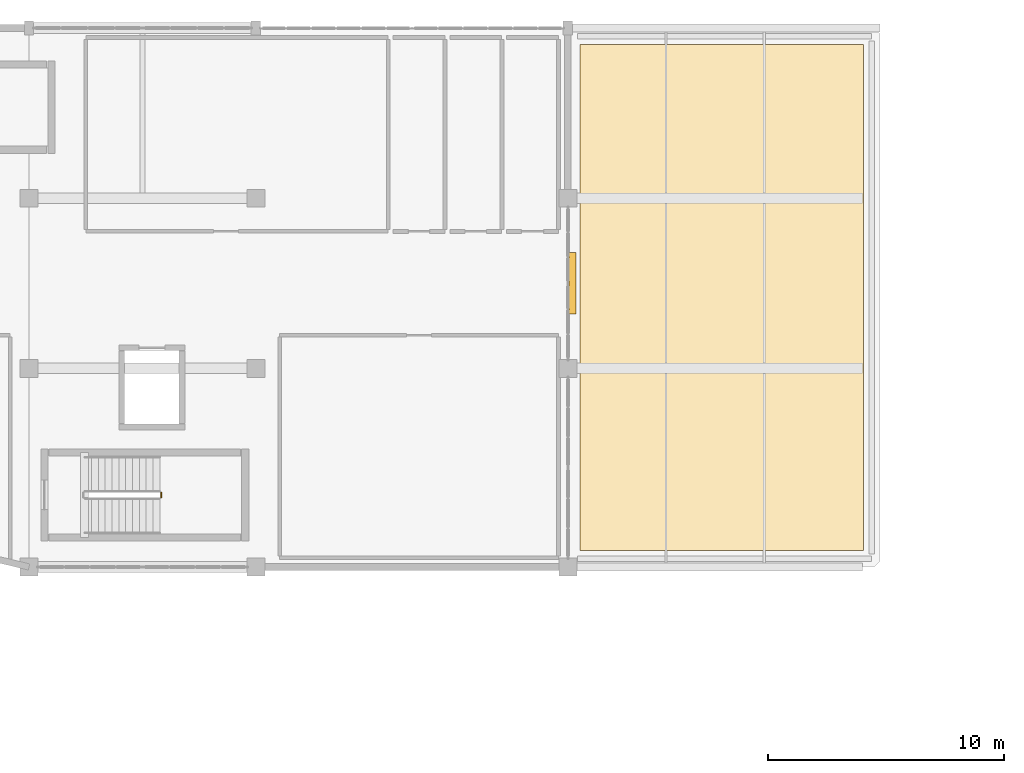
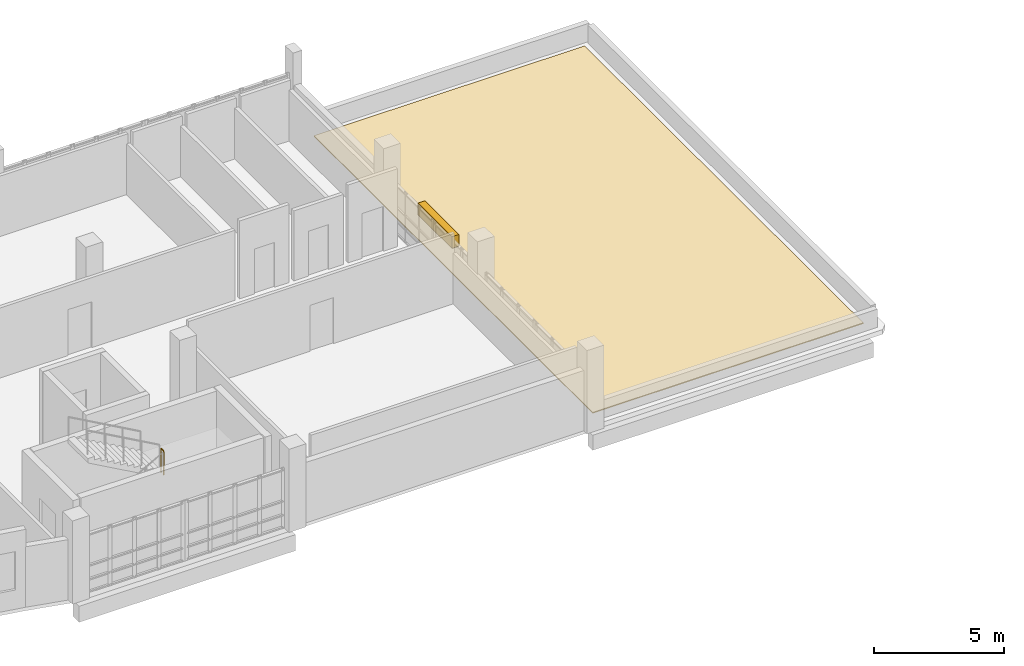
# One storey, part 188 of 188: 1 covering, 1 railing, 1 shading device.
"""IFC4 building model written with IfcOpenShell, lengths in metres."""

import ifcopenshell
import ifcopenshell.guid

model = None  # the IFC model being written
_history = None  # IfcOwnerHistory: only IFC2X3 demands one
_inside = {}  # id of a spatial element -> (the spatial element, [elements in it])
_under = {}  # id of a project, library or spatial element -> (it, [spatial elements below it])
_declared = {}  # id of a project -> (the project, [libraries it declares])
_typed = {}  # id of a type object -> (the type object, [elements of that type])
_made_of = {}  # id of a material, layer set ... -> (it, [elements and type objects made of it])


def new_model(schema):
    """Start an empty IFC model of exactly this schema.

    Asked for "IFC4X3", IfcOpenShell would pick the latest addendum, in which some entities
    have other attributes; the version numbers below select the first issue.
    IFC2X3 requires an IfcOwnerHistory on every rooted entity: one is made here for all.
    """
    global model, _history
    if schema == "IFC4X3":
        model = ifcopenshell.file(schema_version=(4, 3, 0, 0))
    else:
        model = ifcopenshell.file(schema=schema)
    _inside.clear()
    _under.clear()
    _declared.clear()
    _typed.clear()
    _made_of.clear()
    _history = None
    if model.schema == "IFC2X3":
        org = make("IfcOrganization", Name="unknown")
        user = make(
            "IfcPersonAndOrganization",
            ThePerson=make("IfcPerson", FamilyName="unknown"),
            TheOrganization=org,
        )
        app = make(
            "IfcApplication",
            ApplicationDeveloper=org,
            Version="unknown",
            ApplicationFullName="unknown",
            ApplicationIdentifier="unknown",
        )
        _history = make(
            "IfcOwnerHistory",
            OwningUser=user,
            OwningApplication=app,
            ChangeAction="ADDED",
            CreationDate=0,
        )
    return model


def make(cls, **values):
    """One entity of the class cls with the attributes given. An attribute that is None is left unset."""
    return model.create_entity(
        cls, **{name: value for name, value in values.items() if value is not None}
    )


def rooted(cls, **values):
    """An entity with a GlobalId (a new one), such as an element, a storey or a relation."""
    return make(cls, GlobalId=ifcopenshell.guid.new(), OwnerHistory=_history, **values)


def si_unit(unit_type, name, prefix=None):
    """IfcSIUnit, for example si_unit("LENGTHUNIT", "METRE", prefix="MILLI")."""
    return make("IfcSIUnit", UnitType=unit_type, Prefix=prefix, Name=name)


def assignment(units):
    """IfcUnitAssignment: the units of a project."""
    return None if units is None else make("IfcUnitAssignment", Units=units)


def point(xyz):
    """IfcCartesianPoint."""
    return None if xyz is None else make("IfcCartesianPoint", Coordinates=xyz)


def direction(xyz):
    """IfcDirection."""
    return None if xyz is None else make("IfcDirection", DirectionRatios=xyz)


def frame(location, z_axis=None, x_axis=None):
    """IfcAxis2Placement3D, a coordinate frame: its origin and axes. An axis left out is left unset."""
    return make(
        "IfcAxis2Placement3D",
        Location=point(location),
        Axis=direction(z_axis),
        RefDirection=direction(x_axis),
    )


def frame_2d(location, x_axis=None):
    """IfcAxis2Placement2D, a coordinate frame in the plane: its origin and x axis."""
    return make(
        "IfcAxis2Placement2D", Location=point(location), RefDirection=direction(x_axis)
    )


def origin():
    """The frame at (0, 0, 0) with its axes left unset."""
    return frame((0.0, 0.0, 0.0))


def origin_2d():
    """The frame at (0, 0) in the plane with its x axis left unset."""
    return frame_2d((0.0, 0.0))


def place(relative_to, where):
    """IfcLocalPlacement: puts the frame where relative to a parent placement (None: the world)."""
    return make(
        "IfcLocalPlacement", PlacementRelTo=relative_to, RelativePlacement=where
    )


def context(
    kind, dimensions, precision=None, world=None, true_north=None, identifier=None
):
    """IfcGeometricRepresentationContext, for example the 3D "Model" context."""
    return make(
        "IfcGeometricRepresentationContext",
        ContextIdentifier=identifier,
        ContextType=kind,
        CoordinateSpaceDimension=dimensions,
        Precision=precision,
        WorldCoordinateSystem=world,
        TrueNorth=true_north,
    )


def subcontext(parent, identifier, kind, view, scale=None):
    """IfcGeometricRepresentationSubContext, for example "Body" below "Model"."""
    return make(
        "IfcGeometricRepresentationSubContext",
        ContextIdentifier=identifier,
        ContextType=kind,
        ParentContext=parent,
        TargetScale=scale,
        TargetView=view,
    )


def project(units=None, contexts=None):
    """IfcProject with its units and contexts."""
    return rooted(
        "IfcProject",
        Name="project",
        RepresentationContexts=contexts,
        UnitsInContext=assignment(units),
    )


def spatial(cls, under=None, at=None, **own):
    """A site, building, storey or space (cls), placed at a placement, below another one or the project."""
    s = rooted(cls, ObjectPlacement=at, **own)
    if under is not None:
        _under.setdefault(under.id(), (under, []))[1].append(s)
    return s


def polyline(points):
    """IfcPolyline through the points."""
    return make("IfcPolyline", Points=[point(p) for p in points])


def profile(cls, at=None, kind="AREA", **sizes):
    """A parametric profile (cls). Its sizes go by their IFC names, for example OverallWidth=200.0."""
    return make(cls, ProfileType=kind, Position=at, **sizes)


def rectangle(**sizes):
    """IfcRectangleProfileDef."""
    return profile("IfcRectangleProfileDef", **sizes)


def circle(**sizes):
    """IfcCircleProfileDef."""
    return profile("IfcCircleProfileDef", **sizes)


def outline(outer, holes=None, kind="AREA"):
    """IfcArbitraryClosedProfileDef: a profile drawn as a closed curve; with holes, ...WithVoids."""
    if holes is None:
        return make("IfcArbitraryClosedProfileDef", ProfileType=kind, OuterCurve=outer)
    return make(
        "IfcArbitraryProfileDefWithVoids",
        ProfileType=kind,
        OuterCurve=outer,
        InnerCurves=holes,
    )


def extrude(swept, where, along, depth):
    """IfcExtrudedAreaSolid: the profile swept, set in the frame where, extruded along a direction by depth."""
    return make(
        "IfcExtrudedAreaSolid",
        SweptArea=swept,
        Position=where,
        ExtrudedDirection=direction(along),
        Depth=depth,
    )


def shape(context_of_items, identifier, shape_type, items):
    """IfcShapeRepresentation: the items that make up one representation, for example the "Body"."""
    return make(
        "IfcShapeRepresentation",
        ContextOfItems=context_of_items,
        RepresentationIdentifier=identifier,
        RepresentationType=shape_type,
        Items=items,
    )


def material(Name=None, Category=None):
    """IfcMaterial."""
    return make("IfcMaterial", Name=Name, Category=Category)


def layer(
    of_material, thickness, ventilated=None, Name=None, Category=None, Priority=None
):
    """IfcMaterialLayer: one layer of a wall or slab, of a material (None: an air gap)."""
    return make(
        "IfcMaterialLayer",
        Material=of_material,
        LayerThickness=thickness,
        IsVentilated=ventilated,
        Name=Name,
        Category=Category,
        Priority=Priority,
    )


def layer_set(layers, Name=None):
    """IfcMaterialLayerSet."""
    return make("IfcMaterialLayerSet", MaterialLayers=layers, LayerSetName=Name)


def made_of(thing, what):
    """Note that an element or type object is made of a material, layer set ...; save() writes the relation."""
    if what is not None:
        _made_of.setdefault(what.id(), (what, []))[1].append(thing)
    return thing


def type_object(cls, material=None, **own):
    """A type object (cls), such as IfcWallType, which elements share."""
    return made_of(rooted(cls, **own), material)


def element(
    cls,
    number,
    at=None,
    inside=None,
    cuts=None,
    type_object=None,
    material=None,
    context=None,
    identifier="Body",
    shape_type=None,
    held_by="IfcProductDefinitionShape",
    body=None,
    shapes=None,
    **own,
):
    """One element of the class cls, such as IfcWall. Its Tag is "e" and its number.

    at: its placement. inside: the storey or other place that contains it. cuts: it is an
    opening in that element (IfcRelVoidsElement). A single representation is given by context,
    identifier, shape_type and body (its items); several are given by shapes. held_by: the class
    of the entity that holds the representations. save() writes the other relations.
    """
    e = rooted(cls, Tag="e%d" % number, ObjectPlacement=at, **own)
    if body is not None:
        shapes = [shape(context, identifier, shape_type, body)]
    if shapes is not None:
        e.Representation = make(held_by, Representations=shapes)
    if inside is not None:
        _inside.setdefault(inside.id(), (inside, []))[1].append(e)
    if cuts is not None:
        rooted(
            "IfcRelVoidsElement", RelatingBuildingElement=cuts, RelatedOpeningElement=e
        )
    if type_object is not None:
        _typed.setdefault(type_object.id(), (type_object, []))[1].append(e)
    return made_of(e, material)


def aggregate(whole, parts):
    """IfcRelAggregates: a whole, such as a stair, and the parts it consists of."""
    return rooted("IfcRelAggregates", RelatingObject=whole, RelatedObjects=parts)


def save(model, path):
    """Write the relations noted so far, then the file.

    IfcRelAggregates (storeys below a building ...), IfcRelContainedInSpatialStructure (elements
    in a storey), IfcRelDefinesByType, IfcRelAssociatesMaterial and IfcRelDeclares: one each for
    every whole, place, type object, material and project.
    """
    for whole, parts in _under.values():
        aggregate(whole, parts)
    for where, things in _inside.values():
        rooted(
            "IfcRelContainedInSpatialStructure",
            RelatedElements=things,
            RelatingStructure=where,
        )
    for kind, things in _typed.values():
        rooted("IfcRelDefinesByType", RelatedObjects=things, RelatingType=kind)
    for what, things in _made_of.values():
        rooted("IfcRelAssociatesMaterial", RelatedObjects=things, RelatingMaterial=what)
    for by, libraries in _declared.values():
        rooted("IfcRelDeclares", RelatingContext=by, RelatedDefinitions=libraries)
    model.write(path)


model = new_model("IFC4")

# Units and contexts
model_context = context("Model", 3, precision=1e-05, world=origin(), true_north=direction((0.0, 1.0)))
body_context = subcontext(model_context, "Body", "Model", "MODEL_VIEW")
ifc_project = project(units=[si_unit("LENGTHUNIT", "METRE"), si_unit("AREAUNIT", "SQUARE_METRE"), si_unit("VOLUMEUNIT", "CUBIC_METRE"), si_unit("PLANEANGLEUNIT", "RADIAN"), si_unit("MASSUNIT", "GRAM", prefix="KILO")], contexts=[model_context])

# Site, building, storey
site_placement = place(None, origin())
site = spatial("IfcSite", under=ifc_project, at=site_placement, CompositionType="ELEMENT")
building_placement = place(site_placement, origin())
building = spatial("IfcBuilding", under=site, at=building_placement, Name="Kisaragi Civic Commons", CompositionType="ELEMENT")
storey_placement = place(building_placement, frame((0.0, 0.0, 9.60009765625)))
storey = spatial("IfcBuildingStorey", under=building, at=storey_placement, Name="L02", CompositionType="ELEMENT", Elevation=9.60009765625)

# Railing
ifc_material_1 = material(Name="Powder-coated architectural steel and hinoki cap rail", Category="steel")
railing_type = type_object("IfcRailingType", Name="GRD-S1", PredefinedType="GUARDRAIL", material=ifc_material_1)
railing_placement = place(storey_placement, frame((129.18994140625, 98.949951171875, 1.949951171875)))
element("IfcRailing", 1, at=railing_placement, inside=storey, type_object=railing_type, Name="L02 ST-L3 stair guard 2", PredefinedType="GUARDRAIL", context=body_context, shape_type="SweptSolid", body=[
    extrude(circle(Radius=0.02392578125, at=origin_2d()), frame((0.0, 0.0, 1.1259765625), z_axis=(0.0, 1.0, 0.0), x_axis=(-1.0, 0.0, 0.0)), (0.0, 0.0, 1.0), 0.199951171875),
    extrude(circle(Radius=0.02099609375, at=origin_2d()), origin(), (0.0, 0.0, 1.0), 1.101806640625),
    extrude(circle(Radius=0.02099609375, at=origin_2d()), frame((0.0, 0.199951171875, 0.0)), (0.0, 0.0, 1.0), 1.101806640625),
])

# Covering
ifc_material_2 = material(Name="Patinated copper-zinc standing-seam roofing")
ifc_layer_1 = layer(ifc_material_2, 0.044921875, Name="Patinated copper-zinc standing-seam roofing")
ifc_layer_set_1 = layer_set([ifc_layer_1], Name="Patinated copper-zinc standing-seam roofing")
covering_type = type_object("IfcCoveringType", Name="RFG-01", PredefinedType="ROOFING", material=ifc_layer_set_1)
covering_placement = place(storey_placement, origin())
element("IfcCovering", 2, at=covering_placement, inside=storey, type_object=covering_type, Name="Learning Wing L02 setback standing-seam roof covering", PredefinedType="ROOFING", context=body_context, shape_type="SweptSolid", body=[
    extrude(outline(polyline([(146.89990234375, 96.699951171875), (158.89990234375, 96.699951171875), (158.89990234375, 118.10009765625), (146.89990234375, 118.10009765625), (146.89990234375, 96.699951171875)])), origin(), (0.0, 0.0, 1.0), 0.044921875),
])

# Shading device
ifc_material_3 = material(Name="Extruded Tokoname terracotta sun-louvre blade", Category="masonry")
ifc_layer_2 = layer(ifc_material_3, 0.550048828125, Name="Extruded Tokoname terracotta sun-louvre blade", Category="masonry")
ifc_layer_set_2 = layer_set([ifc_layer_2], Name="Extruded Tokoname terracotta sun-louvre blade")
shading_device_type = type_object("IfcShadingDeviceType", Name="SHD-02", PredefinedType="JALOUSIE", material=ifc_layer_set_2)
shading_device_placement = place(storey_placement, frame((146.590087890625, 108.0, 1.830078125), z_axis=(0.0, 0.0, 1.0), x_axis=(0.0, -1.0, 0.0)))
element("IfcShadingDevice", 3, at=shading_device_placement, inside=storey, type_object=shading_device_type, Name="V4 L02 terracotta sun-louvre 13", PredefinedType="JALOUSIE", context=body_context, shape_type="SweptSolid", body=[
    extrude(rectangle(XDim=2.60009765625, YDim=0.300048828125, at=origin_2d()), origin(), (0.0, 0.0, 1.0), 0.550048828125),
])

save(model, "model.ifc")
